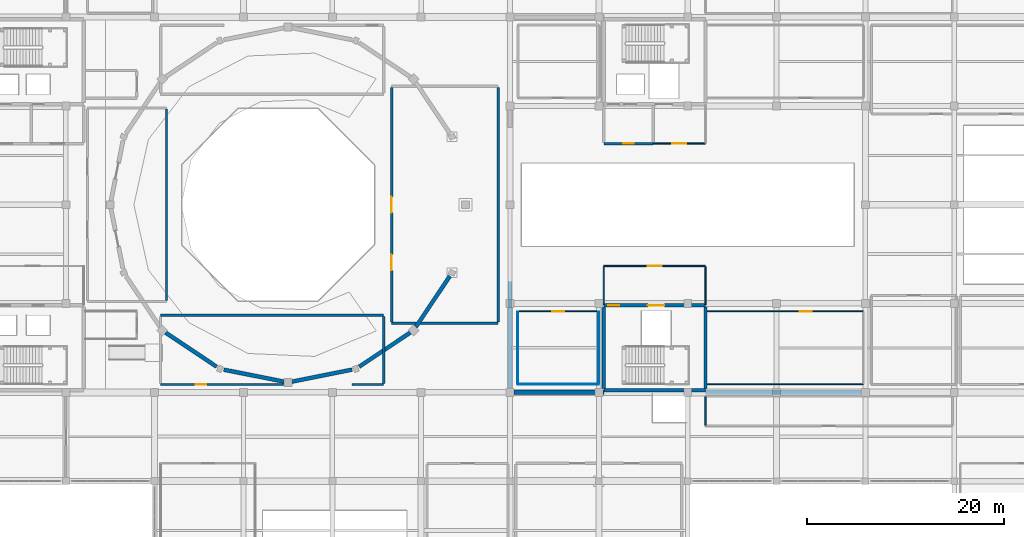
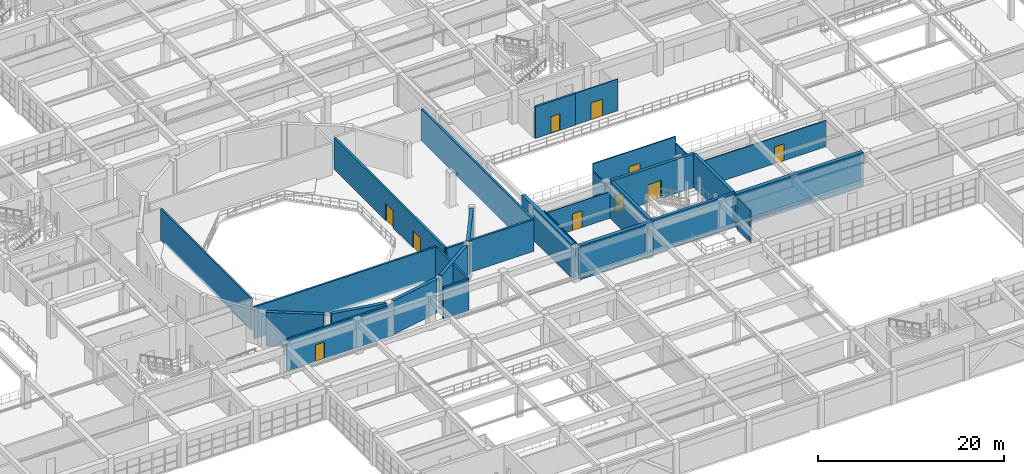
# One storey, part 110 of 133: 32 walls, 10 doors, 10 openings.
"""IFC4 building model written with IfcOpenShell, lengths in metres."""

from ifc_helpers import new_model, si_unit, direction, frame, frame_2d, origin, place, context, subcontext, project, spatial, rectangle, extrude, material, layer, layer_set, type_object, element, fill, save


model = new_model("IFC4")

# Units and contexts
model_context = context("Model", 3, precision=1e-05, world=origin(), true_north=direction((0.0, 1.0)))
body_context = subcontext(model_context, "Body", "Model", "MODEL_VIEW")
ifc_project = project(units=[si_unit("LENGTHUNIT", "METRE"), si_unit("AREAUNIT", "SQUARE_METRE"), si_unit("VOLUMEUNIT", "CUBIC_METRE"), si_unit("PLANEANGLEUNIT", "RADIAN"), si_unit("MASSUNIT", "GRAM", prefix="KILO")], contexts=[model_context])

# Site, building, storey
site_placement = place(None, origin())
site = spatial("IfcSite", under=ifc_project, at=site_placement, CompositionType="ELEMENT")
building_placement = place(site_placement, origin())
building = spatial("IfcBuilding", under=site, at=building_placement, Name="Miravela Opera House", CompositionType="ELEMENT")
storey_placement = place(building_placement, frame((0.0, 0.0, 5.10009765625)))
storey = spatial("IfcBuildingStorey", under=building, at=storey_placement, Name="L01", CompositionType="ELEMENT", Elevation=5.10009765625)

# Wall
ifc_material_1 = material(Name="Acoustic metal-stud gypsum partition")
ifc_layer_1 = layer(ifc_material_1, 0.090087890625)
ifc_layer_set_1 = layer_set([ifc_layer_1])
wall_type_1 = type_object("IfcWallType", Name="ARC-PT-090", PredefinedType="PARTITIONING", material=ifc_layer_set_1)
wall_1_placement = place(storey_placement, frame((99.800048828125, 37.800048828125, 0.0), z_axis=(0.0, 0.0, 1.0), x_axis=(1.0, 0.0, 0.0)))
element("IfcWall", 1, at=wall_1_placement, inside=storey, type_object=wall_type_1, Name="Scenic Model Making and Design Studio Partition South", PredefinedType="PARTITIONING", context=body_context, shape_type="SweptSolid", body=[
    extrude(rectangle(XDim=8.199951171875, YDim=0.090087890625, at=frame_2d((4.10009765625, 0.0))), origin(), (0.0, 0.0, 1.0), 3.4599609375),
])

# Wall, opening, door
wall_2_placement = place(storey_placement, frame((99.800048828125, 45.199951171875, 0.0), z_axis=(0.0, 0.0, 1.0), x_axis=(1.0, 0.0, 0.0)))
wall_2 = element("IfcWall", 2, at=wall_2_placement, inside=storey, type_object=wall_type_1, Name="Scenic Model Making and Design Studio Partition North", PredefinedType="PARTITIONING", context=body_context, shape_type="SweptSolid", body=[
    extrude(rectangle(XDim=8.199951171875, YDim=0.090087890625, at=frame_2d((4.10009765625, 0.0))), origin(), (0.0, 0.0, 1.0), 3.4599609375),
])
opening_1_placement = place(wall_2_placement, frame((3.5, 0.0, 0.0)))
opening_1 = element("IfcOpeningElement", 3, at=opening_1_placement, cuts=wall_2, Name="Opening ID-04", PredefinedType="OPENING", context=body_context, shape_type="SweptSolid", body=[
    extrude(rectangle(XDim=1.199951171875, YDim=2.199951171875, at=frame_2d((0.60009765625, 1.10009765625))), frame((0.0, 0.054931640625, 0.0), z_axis=(0.0, -1.0, 0.0), x_axis=(1.0, 0.0, 0.0)), (0.0, 0.0, 1.0), 0.110107421875),
])
ifc_material_2 = material(Name="Wide acoustic ensemble door")
door_type_1 = type_object("IfcDoorType", Name="ARC-DR-1200X2200", OperationType="NOTDEFINED", PredefinedType="DOOR", material=ifc_material_2)
door_1_placement = place(opening_1_placement, frame((1.199951171875, 0.0, 0.0), z_axis=(0.0, 0.0, 1.0), x_axis=(-1.0, 0.0, 0.0)))
door_1 = element("IfcDoor", 4, at=door_1_placement, inside=storey, type_object=door_type_1, Name="Scenic Model Making and Design Studio Entry Door IDR-L01-0202", OperationType="SINGLE_SWING_RIGHT", OverallHeight=2.199951171875, OverallWidth=1.199951171875, PredefinedType="DOOR", context=body_context, shape_type="SweptSolid", body=[
    extrude(rectangle(XDim=1.199951171875, YDim=2.199951171875, at=frame_2d((0.60009765625, 1.10009765625))), frame((0.0, 0.02490234375, 0.0), z_axis=(0.0, -1.0, 0.0), x_axis=(1.0, 0.0, 0.0)), (0.0, 0.0, 1.0), 0.050048828125),
])
fill(opening_1, door_1)

# Walls
wall_3_placement = place(storey_placement, frame((99.800048828125, 37.844970703125, 0.0), z_axis=(0.0, 0.0, 1.0), x_axis=(0.0, 1.0, 0.0)))
element("IfcWall", 5, at=wall_3_placement, inside=storey, type_object=wall_type_1, Name="Scenic Model Making and Design Studio Partition West", PredefinedType="PARTITIONING", context=body_context, shape_type="SweptSolid", body=[
    extrude(rectangle(XDim=7.31005859375, YDim=0.090087890625, at=frame_2d((3.655029296875, 0.0))), origin(), (0.0, 0.0, 1.0), 3.886962890625),
])
wall_4_placement = place(storey_placement, frame((108.0, 37.844970703125, 0.0), z_axis=(0.0, 0.0, 1.0), x_axis=(0.0, 1.0, 0.0)))
element("IfcWall", 6, at=wall_4_placement, inside=storey, type_object=wall_type_1, Name="Scenic Model Making and Design Studio Partition East", PredefinedType="PARTITIONING", context=body_context, shape_type="SweptSolid", body=[
    extrude(rectangle(XDim=7.31005859375, YDim=0.090087890625, at=frame_2d((3.655029296875, 0.0))), origin(), (0.0, 0.0, 1.0), 3.4599609375),
])

# Wall, opening, door
ifc_material_3 = material(Name="Double-layer acoustic gypsum partition")
ifc_layer_2 = layer(ifc_material_3, 0.110107421875)
ifc_layer_set_2 = layer_set([ifc_layer_2])
wall_type_2 = type_object("IfcWallType", Name="ARC-PT-110", PredefinedType="PARTITIONING", material=ifc_layer_set_2)
wall_5_placement = place(storey_placement, frame((113.5, 62.199951171875, 0.0), z_axis=(0.0, 0.0, 1.0), x_axis=(1.0, 0.0, 0.0)))
wall_5 = element("IfcWall", 7, at=wall_5_placement, inside=storey, type_object=wall_type_2, Name="Passenger Lift Lobby K3 L01 Partition South", PredefinedType="PARTITIONING", context=body_context, shape_type="SweptSolid", body=[
    extrude(rectangle(XDim=5.300048828125, YDim=0.110107421875, at=frame_2d((2.64990234375, 0.0))), origin(), (0.0, 0.0, 1.0), 4.159912109375),
])
opening_2_placement = place(wall_5_placement, frame((1.949951171875, 0.0, 0.0)))
opening_2 = element("IfcOpeningElement", 8, at=opening_2_placement, cuts=wall_5, Name="Opening FD-03", PredefinedType="OPENING", context=body_context, shape_type="SweptSolid", body=[
    extrude(rectangle(XDim=1.39990234375, YDim=2.199951171875, at=frame_2d((0.699951171875, 1.10009765625))), frame((0.0, 0.06494140625, 0.0), z_axis=(0.0, -1.0, 0.0), x_axis=(1.0, 0.0, 0.0)), (0.0, 0.0, 1.0), 0.130126953125),
])
ifc_material_4 = material(Name="Fire-rated lobby/archive double door")
door_type_2 = type_object("IfcDoorType", Name="ARC-FD-1400X2200", OperationType="NOTDEFINED", PredefinedType="DOOR", material=ifc_material_4)
door_2_placement = place(opening_2_placement, frame((1.39990234375, 0.0, 0.0), z_axis=(0.0, 0.0, 1.0), x_axis=(-1.0, 0.0, 0.0)))
door_2 = element("IfcDoor", 9, at=door_2_placement, inside=storey, type_object=door_type_2, Name="Passenger Lift Lobby K3 L01 Entry Door IDR-L01-0155", OperationType="DOUBLE_DOOR_SINGLE_SWING", OverallHeight=2.199951171875, OverallWidth=1.39990234375, PredefinedType="DOOR", context=body_context, shape_type="SweptSolid", body=[
    extrude(rectangle(XDim=1.39990234375, YDim=2.199951171875, at=frame_2d((0.699951171875, 1.10009765625))), frame((0.0, 0.02490234375, 0.0), z_axis=(0.0, -1.0, 0.0), x_axis=(1.0, 0.0, 0.0)), (0.0, 0.0, 1.0), 0.050048828125),
])
fill(opening_2, door_2)

# Wall
wall_6_placement = place(storey_placement, frame((118.97509765625, 37.800048828125, 0.0), z_axis=(0.0, 0.0, 1.0), x_axis=(1.0, 0.0, 0.0)))
element("IfcWall", 10, at=wall_6_placement, inside=storey, type_object=wall_type_2, Name="Stage Rigging Control and Cueing Studio Partition South", PredefinedType="PARTITIONING", context=body_context, shape_type="SweptSolid", body=[
    extrude(rectangle(XDim=15.824951171875, YDim=0.110107421875, at=frame_2d((7.91259765625, 0.0))), origin(), (0.0, 0.0, 1.0), 3.43994140625),
])

# Wall, opening, door
wall_7_placement = place(storey_placement, frame((118.97509765625, 45.199951171875, 0.0), z_axis=(0.0, 0.0, 1.0), x_axis=(1.0, 0.0, 0.0)))
wall_7 = element("IfcWall", 11, at=wall_7_placement, inside=storey, type_object=wall_type_2, Name="Stage Rigging Control and Cueing Studio Partition North", PredefinedType="PARTITIONING", context=body_context, shape_type="SweptSolid", body=[
    extrude(rectangle(XDim=15.824951171875, YDim=0.110107421875, at=frame_2d((7.91259765625, 0.0))), origin(), (0.0, 0.0, 1.0), 3.43994140625),
])
opening_3_placement = place(wall_7_placement, frame((9.38037109375, 0.0, 0.0)))
opening_3 = element("IfcOpeningElement", 12, at=opening_3_placement, cuts=wall_7, Name="Opening FD-02", PredefinedType="OPENING", context=body_context, shape_type="SweptSolid", body=[
    extrude(rectangle(XDim=1.199951171875, YDim=2.199951171875, at=frame_2d((0.60009765625, 1.10009765625))), frame((0.0, 0.06494140625, 0.0), z_axis=(0.0, -1.0, 0.0), x_axis=(1.0, 0.0, 0.0)), (0.0, 0.0, 1.0), 0.130126953125),
])
ifc_material_5 = material(Name="Fire-rated gallery/plant exit door")
door_type_3 = type_object("IfcDoorType", Name="ARC-FD-1200X2200", OperationType="NOTDEFINED", PredefinedType="DOOR", material=ifc_material_5)
door_3_placement = place(opening_3_placement, frame((1.199951171875, 0.0, 0.0), z_axis=(0.0, 0.0, 1.0), x_axis=(-1.0, 0.0, 0.0)))
door_3 = element("IfcDoor", 13, at=door_3_placement, inside=storey, type_object=door_type_3, Name="Stage Rigging Control and Cueing Studio Entry Door IDR-L01-0203", OperationType="SINGLE_SWING_LEFT", OverallHeight=2.199951171875, OverallWidth=1.199951171875, PredefinedType="DOOR", context=body_context, shape_type="SweptSolid", body=[
    extrude(rectangle(XDim=1.199951171875, YDim=2.199951171875, at=frame_2d((0.60009765625, 1.10009765625))), frame((0.0, 0.02490234375, 0.0), z_axis=(0.0, -1.0, 0.0), x_axis=(1.0, 0.0, 0.0)), (0.0, 0.0, 1.0), 0.050048828125),
])
fill(opening_3, door_3)

ifc_material_6 = material(Name="Fire-rated acoustic gypsum partition")
ifc_layer_3 = layer(ifc_material_6, 0.1298828125)
ifc_layer_set_3 = layer_set([ifc_layer_3])
wall_type_3 = type_object("IfcWallType", Name="ARC-PT-130", PredefinedType="PARTITIONING", material=ifc_layer_set_3)
wall_8_placement = place(storey_placement, frame((108.5, 49.800048828125, 0.0), z_axis=(0.0, 0.0, 1.0), x_axis=(1.0, 0.0, 0.0)))
wall_8 = element("IfcWall", 14, at=wall_8_placement, inside=storey, type_object=wall_type_3, Name="Passenger Lift Lobby K4 L01 Partition North", PredefinedType="PARTITIONING", context=body_context, shape_type="SweptSolid", body=[
    extrude(rectangle(XDim=10.300048828125, YDim=0.1298828125, at=frame_2d((5.14990234375, 0.0))), origin(), (0.0, 0.0, 1.0), 4.159912109375),
])
opening_4_placement = place(wall_8_placement, frame((4.449951171875, 0.0, 0.0)))
opening_4 = element("IfcOpeningElement", 15, at=opening_4_placement, cuts=wall_8, Name="Opening FD-03", PredefinedType="OPENING", context=body_context, shape_type="SweptSolid", body=[
    extrude(rectangle(XDim=1.39990234375, YDim=2.199951171875, at=frame_2d((0.699951171875, 1.10009765625))), frame((0.0, 0.074951171875, 0.0), z_axis=(0.0, -1.0, 0.0), x_axis=(1.0, 0.0, 0.0)), (0.0, 0.0, 1.0), 0.14990234375),
])
door_4_placement = place(opening_4_placement, origin())
door_4 = element("IfcDoor", 16, at=door_4_placement, inside=storey, type_object=door_type_2, Name="Passenger Lift Lobby K4 L01 Entry Door IDR-L01-0156", OperationType="DOUBLE_DOOR_SINGLE_SWING", OverallHeight=2.199951171875, OverallWidth=1.39990234375, PredefinedType="DOOR", context=body_context, shape_type="SweptSolid", body=[
    extrude(rectangle(XDim=1.39990234375, YDim=2.199951171875, at=frame_2d((0.699951171875, 1.10009765625))), frame((0.0, 0.02490234375, 0.0), z_axis=(0.0, -1.0, 0.0), x_axis=(1.0, 0.0, 0.0)), (0.0, 0.0, 1.0), 0.050048828125),
])
fill(opening_4, door_4)

# Walls
wall_9_placement = place(storey_placement, frame((108.5, 45.864990234375, 0.0), z_axis=(0.0, 0.0, 1.0), x_axis=(0.0, 1.0, 0.0)))
element("IfcWall", 17, at=wall_9_placement, inside=storey, type_object=wall_type_3, Name="Passenger Lift Lobby K4 L01 Partition West", PredefinedType="PARTITIONING", context=body_context, shape_type="SweptSolid", body=[
    extrude(rectangle(XDim=3.8701171875, YDim=0.1298828125, at=frame_2d((1.93505859375, 0.0))), origin(), (0.0, 0.0, 1.0), 3.239990234375),
])
wall_10_placement = place(storey_placement, frame((118.800048828125, 45.864990234375, 0.0), z_axis=(0.0, 0.0, 1.0), x_axis=(0.0, 1.0, 0.0)))
element("IfcWall", 18, at=wall_10_placement, inside=storey, type_object=wall_type_3, Name="Passenger Lift Lobby K4 L01 Partition East", PredefinedType="PARTITIONING", context=body_context, shape_type="SweptSolid", body=[
    extrude(rectangle(XDim=3.8701171875, YDim=0.1298828125, at=frame_2d((1.93505859375, 0.0))), origin(), (0.0, 0.0, 1.0), 3.289794921875),
])
ifc_material_7 = material(Name="Studio double-stud acoustic partition")
ifc_layer_4 = layer(ifc_material_7, 0.14990234375)
ifc_layer_set_4 = layer_set([ifc_layer_4])
wall_type_4 = type_object("IfcWallType", Name="ARC-PT-145", PredefinedType="PARTITIONING", material=ifc_layer_set_4)
wall_11_placement = place(storey_placement, frame((118.800048828125, 33.675048828125, 0.0), z_axis=(0.0, 0.0, 1.0), x_axis=(0.0, 1.0, 0.0)))
element("IfcWall", 19, at=wall_11_placement, inside=storey, type_object=wall_type_4, Name="Scenic Rigging Design Studio Partition West", PredefinedType="PARTITIONING", context=body_context, shape_type="SweptSolid", body=[
    extrude(rectangle(XDim=2.849853515625, YDim=0.14990234375, at=frame_2d((1.4248046875, 0.0))), origin(), (0.0, 0.0, 1.0), 4.159912109375),
])

# Wall, opening, door
ifc_material_8 = material(Name="High-STC auditorium lobby partition")
ifc_layer_5 = layer(ifc_material_8, 0.22998046875)
ifc_layer_set_5 = layer_set([ifc_layer_5])
wall_type_5 = type_object("IfcWallType", Name="ARC-PT-205", PredefinedType="PARTITIONING", material=ifc_layer_set_5)
wall_12_placement = place(storey_placement, frame((63.60009765625, 37.800048828125, 0.0), z_axis=(0.0, 0.0, 1.0), x_axis=(1.0, 0.0, 0.0)))
wall_12 = element("IfcWall", 20, at=wall_12_placement, inside=storey, type_object=wall_type_5, Name="Principal Tenor and Soprano Dressing Suites Partition South 1", PredefinedType="PARTITIONING", context=body_context, shape_type="SweptSolid", body=[
    extrude(rectangle(XDim=13.292236328125, YDim=0.22998046875, at=frame_2d((6.64599609375, 0.0))), origin(), (0.0, 0.0, 1.0), 4.159912109375),
])
opening_5_placement = place(wall_12_placement, frame((3.5419921875, 0.0, 0.0)))
opening_5 = element("IfcOpeningElement", 21, at=opening_5_placement, cuts=wall_12, Name="Opening ID-03", PredefinedType="OPENING", context=body_context, shape_type="SweptSolid", body=[
    extrude(rectangle(XDim=1.10009765625, YDim=2.199951171875, at=frame_2d((0.550048828125, 1.10009765625))), frame((0.0, 0.125, 0.0), z_axis=(0.0, -1.0, 0.0), x_axis=(1.0, 0.0, 0.0)), (0.0, 0.0, 1.0), 0.25),
])
ifc_material_9 = material(Name="Acoustic hardwood studio door", Category="wood")
door_type_4 = type_object("IfcDoorType", Name="ARC-DR-1100X2200", OperationType="NOTDEFINED", PredefinedType="DOOR", material=ifc_material_9)
door_5_placement = place(opening_5_placement, frame((1.10009765625, 0.0, 0.0), z_axis=(0.0, 0.0, 1.0), x_axis=(-1.0, 0.0, 0.0)))
door_5 = element("IfcDoor", 22, at=door_5_placement, inside=storey, type_object=door_type_4, Name="Principal Tenor and Soprano Dressing Suites Entry Door IDR-L01-0200", OperationType="SINGLE_SWING_RIGHT", OverallHeight=2.199951171875, OverallWidth=1.10009765625, PredefinedType="DOOR", context=body_context, shape_type="SweptSolid", body=[
    extrude(rectangle(XDim=1.10009765625, YDim=2.199951171875, at=frame_2d((0.550048828125, 1.10009765625))), frame((0.0, 0.02490234375, 0.0), z_axis=(0.0, -1.0, 0.0), x_axis=(1.0, 0.0, 0.0)), (0.0, 0.0, 1.0), 0.050048828125),
])
fill(opening_5, door_5)

# Walls
wall_13_placement = place(storey_placement, frame((82.99609375, 37.800048828125, 0.0), z_axis=(0.0, 0.0, 1.0), x_axis=(1.0, 0.0, 0.0)))
element("IfcWall", 23, at=wall_13_placement, inside=storey, type_object=wall_type_5, Name="Principal Tenor and Soprano Dressing Suites Partition South 2", PredefinedType="PARTITIONING", context=body_context, shape_type="SweptSolid", body=[
    extrude(rectangle(XDim=3.203857421875, YDim=0.22998046875, at=frame_2d((1.60205078125, 0.0))), origin(), (0.0, 0.0, 1.0), 4.159912109375),
])
wall_14_placement = place(storey_placement, frame((63.60009765625, 44.800048828125, 0.0), z_axis=(0.0, 0.0, 1.0), x_axis=(1.0, 0.0, 0.0)))
element("IfcWall", 24, at=wall_14_placement, inside=storey, type_object=wall_type_5, Name="Principal Tenor and Soprano Dressing Suites Partition North", PredefinedType="PARTITIONING", context=body_context, shape_type="SweptSolid", body=[
    extrude(rectangle(XDim=22.599853515625, YDim=0.22998046875, at=frame_2d((11.2998046875, 0.0))), origin(), (0.0, 0.0, 1.0), 4.159912109375),
])
wall_15_placement = place(storey_placement, frame((86.199951171875, 37.9150390625, 0.0), z_axis=(0.0, 0.0, 1.0), x_axis=(0.0, 1.0, 0.0)))
element("IfcWall", 25, at=wall_15_placement, inside=storey, type_object=wall_type_5, Name="Principal Tenor and Soprano Dressing Suites Partition East", PredefinedType="PARTITIONING", context=body_context, shape_type="SweptSolid", body=[
    extrude(rectangle(XDim=6.77001953125, YDim=0.22998046875, at=frame_2d((3.385009765625, 0.0))), origin(), (0.0, 0.0, 1.0), 4.159912109375),
])
ifc_material_10 = material(Name="Workshop fire-resisting block partition")
ifc_layer_6 = layer(ifc_material_10, 0.2099609375)
ifc_layer_set_6 = layer_set([ifc_layer_6])
wall_type_6 = type_object("IfcWallType", Name="ARC-PT-210", PredefinedType="PARTITIONING", material=ifc_layer_set_6)
wall_16_placement = place(storey_placement, frame((64.199951171875, 46.304931640625, 0.0), z_axis=(0.0, 0.0, 1.0), x_axis=(0.0, 1.0, 0.0)))
element("IfcWall", 26, at=wall_16_placement, inside=storey, type_object=wall_type_6, Name="Opera Auditorium West Box Salon Partition East", PredefinedType="PARTITIONING", context=body_context, shape_type="SweptSolid", body=[
    extrude(rectangle(XDim=19.39013671875, YDim=0.2099609375, at=frame_2d((9.695068359375, 0.0))), origin(), (0.0, 0.0, 1.0), 4.159912109375),
])

# Wall, opening, door
ifc_material_11 = material(Name="Firefighting lobby compartment wall")
ifc_layer_7 = layer(ifc_material_11, 0.25)
ifc_layer_set_7 = layer_set([ifc_layer_7])
wall_type_7 = type_object("IfcWallType", Name="ARC-PT-220", PredefinedType="PARTITIONING", material=ifc_layer_set_7)
wall_17_placement = place(storey_placement, frame((108.5, 62.199951171875, 0.0), z_axis=(0.0, 0.0, 1.0), x_axis=(1.0, 0.0, 0.0)))
wall_17 = element("IfcWall", 27, at=wall_17_placement, inside=storey, type_object=wall_type_7, Name="Firefighting Lobby K3 L01 Partition South", PredefinedType="PARTITIONING", context=body_context, shape_type="SweptSolid", body=[
    extrude(rectangle(XDim=5.0, YDim=0.25, at=frame_2d((2.5, 0.0))), origin(), (0.0, 0.0, 1.0), 4.159912109375),
])
opening_6_placement = place(wall_17_placement, frame((1.949951171875, 0.0, 0.0)))
opening_6 = element("IfcOpeningElement", 28, at=opening_6_placement, cuts=wall_17, Name="Opening FD-01", PredefinedType="OPENING", context=body_context, shape_type="SweptSolid", body=[
    extrude(rectangle(XDim=1.10009765625, YDim=2.199951171875, at=frame_2d((0.550048828125, 1.10009765625))), frame((0.0, 0.135009765625, 0.0), z_axis=(0.0, -1.0, 0.0), x_axis=(1.0, 0.0, 0.0)), (0.0, 0.0, 1.0), 0.27001953125),
])
ifc_material_12 = material(Name="Fire-rated steel/hardwood exit stair door", Category="steel")
door_type_5 = type_object("IfcDoorType", Name="ARC-FD-1100X2200", OperationType="NOTDEFINED", PredefinedType="DOOR", material=ifc_material_12)
door_6_placement = place(opening_6_placement, frame((1.10009765625, 0.0, 0.0), z_axis=(0.0, 0.0, 1.0), x_axis=(-1.0, 0.0, 0.0)))
door_6 = element("IfcDoor", 29, at=door_6_placement, inside=storey, type_object=door_type_5, Name="Firefighting Lobby K3 L01 Entry Door IDR-L01-0154", OperationType="SINGLE_SWING_RIGHT", OverallHeight=2.199951171875, OverallWidth=1.10009765625, PredefinedType="DOOR", context=body_context, shape_type="SweptSolid", body=[
    extrude(rectangle(XDim=1.10009765625, YDim=2.199951171875, at=frame_2d((0.550048828125, 1.10009765625))), frame((0.0, 0.02490234375, 0.0), z_axis=(0.0, -1.0, 0.0), x_axis=(1.0, 0.0, 0.0)), (0.0, 0.0, 1.0), 0.050048828125),
])
fill(opening_6, door_6)

# Wall
wall_18_placement = place(storey_placement, frame((87.0, 44.0, 0.0), z_axis=(0.0, 0.0, 1.0), x_axis=(1.0, 0.0, 0.0)))
element("IfcWall", 30, at=wall_18_placement, inside=storey, type_object=wall_type_7, Name="Opera Auditorium Box Tier Partition South", PredefinedType="PARTITIONING", context=body_context, shape_type="SweptSolid", body=[
    extrude(rectangle(XDim=10.800048828125, YDim=0.25, at=frame_2d((5.39990234375, 0.0))), origin(), (0.0, 0.0, 1.0), 4.159912109375),
])

# Wall, openings, doors
wall_19_placement = place(storey_placement, frame((87.0, 44.125, 0.0), z_axis=(0.0, 0.0, 1.0), x_axis=(0.0, 1.0, 0.0)))
wall_19 = element("IfcWall", 31, at=wall_19_placement, inside=storey, type_object=wall_type_7, Name="Opera Auditorium Box Tier Partition West", PredefinedType="PARTITIONING", context=body_context, shape_type="SweptSolid", body=[
    extrude(rectangle(XDim=23.75, YDim=0.25, at=frame_2d((11.875, 0.0))), origin(), (0.0, 0.0, 1.0), 4.159912109375),
])
opening_7_placement = place(wall_19_placement, frame((11.074951171875, 0.0, 0.0)))
opening_7 = element("IfcOpeningElement", 32, at=opening_7_placement, cuts=wall_19, Name="Opening FD-04", PredefinedType="OPENING", context=body_context, shape_type="SweptSolid", body=[
    extrude(rectangle(XDim=1.60009765625, YDim=2.25, at=frame_2d((0.800048828125, 1.125))), frame((0.0, 0.135009765625, 0.0), z_axis=(0.0, -1.0, 0.0), x_axis=(1.0, 0.0, 0.0)), (0.0, 0.0, 1.0), 0.27001953125),
])
opening_8_placement = place(wall_19_placement, frame((5.22509765625, 0.0, 0.0)))
opening_8 = element("IfcOpeningElement", 33, at=opening_8_placement, cuts=wall_19, Name="Opening FD-04", PredefinedType="OPENING", context=body_context, shape_type="SweptSolid", body=[
    extrude(rectangle(XDim=1.60009765625, YDim=2.25, at=frame_2d((0.800048828125, 1.125))), frame((0.0, 0.135009765625, 0.0), z_axis=(0.0, -1.0, 0.0), x_axis=(1.0, 0.0, 0.0)), (0.0, 0.0, 1.0), 0.27001953125),
])
ifc_material_13 = material(Name="Fire-rated rehearsal/vomitory double door")
door_type_6 = type_object("IfcDoorType", Name="ARC-FD-1600X2250", OperationType="NOTDEFINED", PredefinedType="DOOR", material=ifc_material_13)
door_7_placement = place(opening_7_placement, origin())
door_7 = element("IfcDoor", 34, at=door_7_placement, inside=storey, type_object=door_type_6, Name="Opera Auditorium Box Tier Entry Door IDR-L01-0164", OperationType="DOUBLE_DOOR_SINGLE_SWING", OverallHeight=2.25, OverallWidth=1.60009765625, PredefinedType="DOOR", context=body_context, shape_type="SweptSolid", body=[
    extrude(rectangle(XDim=1.60009765625, YDim=2.25, at=frame_2d((0.800048828125, 1.125))), frame((0.0, 0.02490234375, 0.0), z_axis=(0.0, -1.0, 0.0), x_axis=(1.0, 0.0, 0.0)), (0.0, 0.0, 1.0), 0.050048828125),
])
fill(opening_7, door_7)
door_8_placement = place(opening_8_placement, origin())
door_8 = element("IfcDoor", 35, at=door_8_placement, inside=storey, type_object=door_type_6, Name="Opera Auditorium Box Tier Secondary Exit Door IDR-L01-0165", OperationType="DOUBLE_DOOR_SINGLE_SWING", OverallHeight=2.25, OverallWidth=1.60009765625, PredefinedType="DOOR", context=body_context, shape_type="SweptSolid", body=[
    extrude(rectangle(XDim=1.60009765625, YDim=2.25, at=frame_2d((0.800048828125, 1.125))), frame((0.0, 0.02490234375, 0.0), z_axis=(0.0, -1.0, 0.0), x_axis=(1.0, 0.0, 0.0)), (0.0, 0.0, 1.0), 0.050048828125),
])
fill(opening_8, door_8)

# Walls
wall_20_placement = place(storey_placement, frame((97.800048828125, 44.125, 0.0), z_axis=(0.0, 0.0, 1.0), x_axis=(0.0, 1.0, 0.0)))
element("IfcWall", 36, at=wall_20_placement, inside=storey, type_object=wall_type_7, Name="Opera Auditorium Box Tier Partition East", PredefinedType="PARTITIONING", context=body_context, shape_type="SweptSolid", body=[
    extrude(rectangle(XDim=23.75, YDim=0.25, at=frame_2d((11.875, 0.0))), origin(), (0.0, 0.0, 1.0), 4.159912109375),
])
ifc_material_14 = material(Name="Concrete C40/50", Category="concrete")
ifc_layer_8 = layer(ifc_material_14, 0.35009765625)
ifc_layer_set_8 = layer_set([ifc_layer_8])
wall_type_8 = type_object("IfcWallType", Name="STR-WALL-CORE-350", PredefinedType="SHEAR", material=ifc_layer_set_8)
wall_21_placement = place(storey_placement, frame((108.5, 37.199951171875, 0.0), z_axis=(0.0, 0.0, 1.0), x_axis=(1.0, 0.0, 0.0)))
element("IfcWall", 37, at=wall_21_placement, inside=storey, type_object=wall_type_8, Name="Core K4 Shear Wall South (L01)", PredefinedType="SHEAR", context=body_context, shape_type="SweptSolid", body=[
    extrude(rectangle(XDim=10.300048828125, YDim=0.35009765625, at=frame_2d((5.14990234375, 0.0))), origin(), (0.0, 0.0, 1.0), 4.419921875),
])

# Wall, openings, doors
wall_22_placement = place(storey_placement, frame((108.5, 45.800048828125, 0.0), z_axis=(0.0, 0.0, 1.0), x_axis=(1.0, 0.0, 0.0)))
wall_22 = element("IfcWall", 38, at=wall_22_placement, inside=storey, type_object=wall_type_8, Name="Core K4 Shear Wall North (L01)", PredefinedType="SHEAR", context=body_context, shape_type="SweptSolid", body=[
    extrude(rectangle(XDim=10.300048828125, YDim=0.35009765625, at=frame_2d((5.14990234375, 0.0))), origin(), (0.0, 0.0, 1.0), 4.419921875),
])
opening_9_placement = place(wall_22_placement, frame((0.449951171875, 0.0, 0.0)))
opening_9 = element("IfcOpeningElement", 39, at=opening_9_placement, cuts=wall_22, Name="Opening FD-01", PredefinedType="OPENING", context=body_context, shape_type="SweptSolid", body=[
    extrude(rectangle(XDim=1.10009765625, YDim=2.199951171875, at=frame_2d((0.550048828125, 1.10009765625))), frame((0.0, 0.18505859375, 0.0), z_axis=(0.0, -1.0, 0.0), x_axis=(1.0, 0.0, 0.0)), (0.0, 0.0, 1.0), 0.3701171875),
])
opening_10_placement = place(wall_22_placement, frame((4.47509765625, 0.0, 0.0)))
opening_10 = element("IfcOpeningElement", 40, at=opening_10_placement, cuts=wall_22, Name="Opening LD-03", PredefinedType="OPENING", context=body_context, shape_type="SweptSolid", body=[
    extrude(rectangle(XDim=1.64990234375, YDim=2.340087890625, at=frame_2d((0.824951171875, 1.169921875))), frame((0.0, 0.18505859375, 0.0), z_axis=(0.0, -1.0, 0.0), x_axis=(1.0, 0.0, 0.0)), (0.0, 0.0, 1.0), 0.3701171875),
])
door_9_placement = place(opening_9_placement, frame((1.10009765625, 0.0, 0.0), z_axis=(0.0, 0.0, 1.0), x_axis=(-1.0, 0.0, 0.0)))
door_9 = element("IfcDoor", 41, at=door_9_placement, inside=storey, type_object=door_type_5, Name="Exit Stair ST-04 Rated Door (L01) IDR-L01-0025", OperationType="SINGLE_SWING_LEFT", OverallHeight=2.199951171875, OverallWidth=1.10009765625, PredefinedType="DOOR", context=body_context, shape_type="SweptSolid", body=[
    extrude(rectangle(XDim=1.10009765625, YDim=2.199951171875, at=frame_2d((0.550048828125, 1.10009765625))), frame((0.0, 0.02490234375, 0.0), z_axis=(0.0, -1.0, 0.0), x_axis=(1.0, 0.0, 0.0)), (0.0, 0.0, 1.0), 0.050048828125),
])
fill(opening_9, door_9)
ifc_material_15 = material(Name="Brushed stainless and bronze fire-rated lift landing door")
door_type_7 = type_object("IfcDoorType", Name="ARC-LD-FRT-1650X2350", OperationType="SLIDING_TO_LEFT", PredefinedType="DOOR", material=ifc_material_15)
door_10_placement = place(opening_10_placement, origin())
door_10 = element("IfcDoor", 42, at=door_10_placement, inside=storey, type_object=door_type_7, Name="Lift Landing Door FL-02 (L01)", OperationType="SLIDING_TO_LEFT", OverallHeight=2.340087890625, OverallWidth=1.64990234375, PredefinedType="DOOR", context=body_context, shape_type="SweptSolid", body=[
    extrude(rectangle(XDim=1.64990234375, YDim=2.340087890625, at=frame_2d((0.824951171875, 1.169921875))), frame((0.0, 0.02490234375, 0.0), z_axis=(0.0, -1.0, 0.0), x_axis=(1.0, 0.0, 0.0)), (0.0, 0.0, 1.0), 0.050048828125),
])
fill(opening_10, door_10)

# Walls
for number, where, z_axis, x_axis, name in (
    (43, (108.5, 37.375, 0.0), (0.0, 0.0, 1.0), (0.0, 1.0, 0.0), "Core K4 Shear Wall West (L01)"),
    (44, (118.800048828125, 37.375, 0.0), (0.0, 0.0, 1.0), (0.0, 1.0, 0.0), "Core K4 Shear Wall East (L01)"),
):
    element("IfcWall", number, at=place(storey_placement, frame(where, z_axis=z_axis, x_axis=x_axis)), inside=storey, type_object=wall_type_8, Name=name, PredefinedType="SHEAR", context=body_context, shape_type="SweptSolid", body=[
        extrude(rectangle(XDim=8.25, YDim=0.35009765625, at=frame_2d((4.125, 0.0))), origin(), (0.0, 0.0, 1.0), 4.419921875),
    ])
ifc_layer_9 = layer(ifc_material_14, 0.39990234375)
ifc_layer_set_9 = layer_set([ifc_layer_9])
wall_type_9 = type_object("IfcWallType", Name="STR-WALL-DRUM-400", PredefinedType="SHEAR", material=ifc_layer_set_9)
wall_23_placement = place(storey_placement, frame((64.104736328125, 43.0498046875, 0.0), z_axis=(0.0, 0.0, 1.0), x_axis=(0.831458341015, -0.555587101324, 0.0)))
element("IfcWall", 45, at=wall_23_placement, inside=storey, type_object=wall_type_9, Name="Auditorium Drum Shear Wall L01 Seg 11", PredefinedType="SHEAR", context=body_context, shape_type="SweptSolid", body=[
    extrude(rectangle(XDim=6.22314453125, YDim=0.39990234375, at=frame_2d((3.111572265625, 0.0))), origin(), (0.0, 0.0, 1.0), 4.419921875),
])
for number, where, z_axis, x_axis, name in (
    (46, (70.00390625, 39.292236328125, 0.0), (0.0, 0.0, 1.0), (0.980777834218, -0.195127752786, 0.0), "Auditorium Drum Shear Wall L01 Seg 12"),
    (47, (76.892333984375, 38.077880859375, 0.0), (0.0, 0.0, 1.0), (0.980777834218, 0.195127752786, 0.0), "Auditorium Drum Shear Wall L01 Seg 13"),
):
    element("IfcWall", number, at=place(storey_placement, frame(where, z_axis=z_axis, x_axis=x_axis)), inside=storey, type_object=wall_type_9, Name=name, PredefinedType="SHEAR", context=body_context, shape_type="SweptSolid", body=[
        extrude(rectangle(XDim=6.223388671875, YDim=0.39990234375, at=frame_2d((3.11181640625, 0.0))), origin(), (0.0, 0.0, 1.0), 4.419921875),
    ])
for number, where, z_axis, x_axis, name in (
    (48, (83.720947265625, 39.59228515625, 0.0), (0.0, 0.0, 1.0), (0.831458341015, 0.555587101324, 0.0), "Auditorium Drum Shear Wall L01 Seg 14"),
    (49, (89.4501953125, 43.604736328125, 0.0), (0.0, 0.0, 1.0), (0.555587101324, 0.831458341015, 0.0), "Auditorium Drum Shear Wall L01 Seg 15"),
):
    element("IfcWall", number, at=place(storey_placement, frame(where, z_axis=z_axis, x_axis=x_axis)), inside=storey, type_object=wall_type_9, Name=name, PredefinedType="SHEAR", context=body_context, shape_type="SweptSolid", body=[
        extrude(rectangle(XDim=6.22314453125, YDim=0.39990234375, at=frame_2d((3.111572265625, 0.0))), origin(), (0.0, 0.0, 1.0), 4.419921875),
    ])
ifc_layer_10 = layer(ifc_material_14, 0.449951171875)
ifc_layer_set_10 = layer_set([ifc_layer_10])
wall_type_10 = type_object("IfcWallType", Name="STR-WALL-PROSC-450", PredefinedType="SHEAR", material=ifc_layer_set_10)
wall_24_placement = place(storey_placement, frame((99.0, 37.449951171875, 0.0), z_axis=(0.0, 0.0, 1.0), x_axis=(0.0, 1.0, 0.0)))
element("IfcWall", 50, at=wall_24_placement, inside=storey, type_object=wall_type_10, Name="Proscenium Shear Wall South (L01)", PredefinedType="SHEAR", context=body_context, shape_type="SweptSolid", body=[
    extrude(rectangle(XDim=10.75, YDim=0.449951171875, at=frame_2d((5.375, 0.0))), origin(), (0.0, 0.0, 1.0), 4.419921875),
])
wall_25_placement = place(storey_placement, frame((99.425048828125, 37.0, 0.0), z_axis=(0.0, 0.0, 1.0), x_axis=(1.0, 0.0, 0.0)))
element("IfcWall", 51, at=wall_25_placement, inside=storey, type_object=wall_type_10, Name="Stage House South Shear Wall W (L01)", PredefinedType="SHEAR", context=body_context, shape_type="SweptSolid", body=[
    extrude(rectangle(XDim=9.074951171875, YDim=0.449951171875, at=frame_2d((4.53759765625, 0.0))), origin(), (0.0, 0.0, 1.0), 4.419921875),
])
wall_26_placement = place(storey_placement, frame((118.800048828125, 37.0, 0.0), z_axis=(0.0, 0.0, 1.0), x_axis=(1.0, 0.0, 0.0)))
element("IfcWall", 52, at=wall_26_placement, inside=storey, type_object=wall_type_10, Name="Stage House South Shear Wall E (L01)", PredefinedType="SHEAR", context=body_context, shape_type="SweptSolid", body=[
    extrude(rectangle(XDim=15.77490234375, YDim=0.449951171875, at=frame_2d((7.887451171875, 0.0))), origin(), (0.0, 0.0, 1.0), 4.419921875),
])

save(model, "model.ifc")
